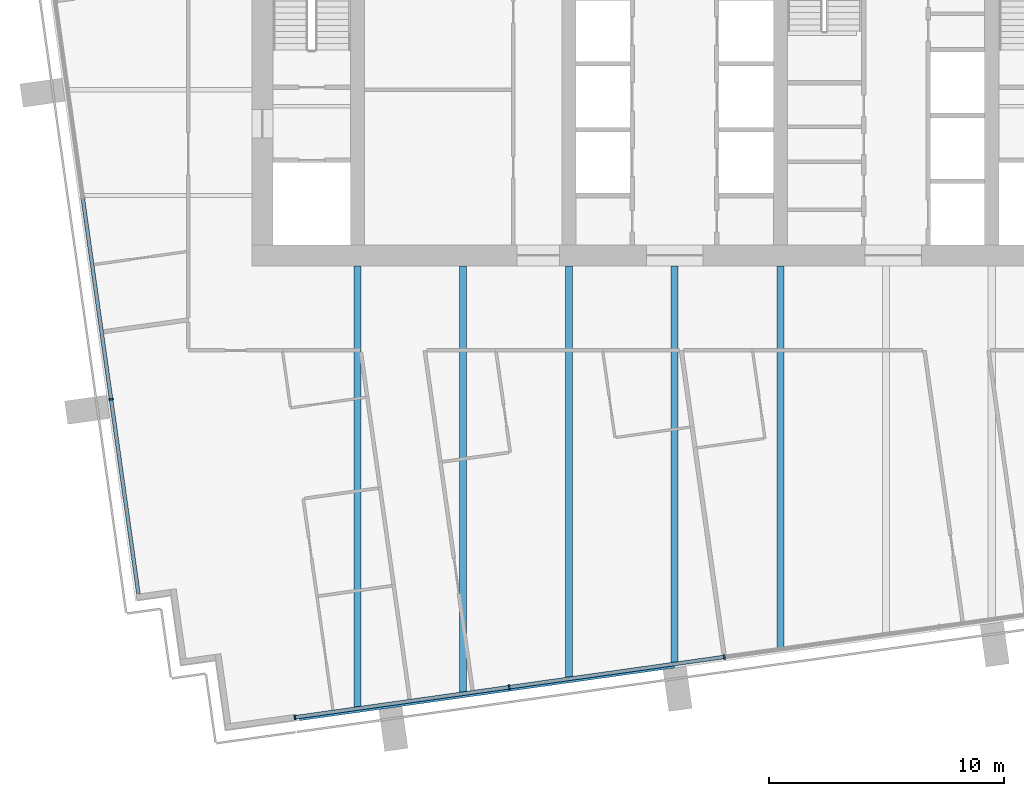
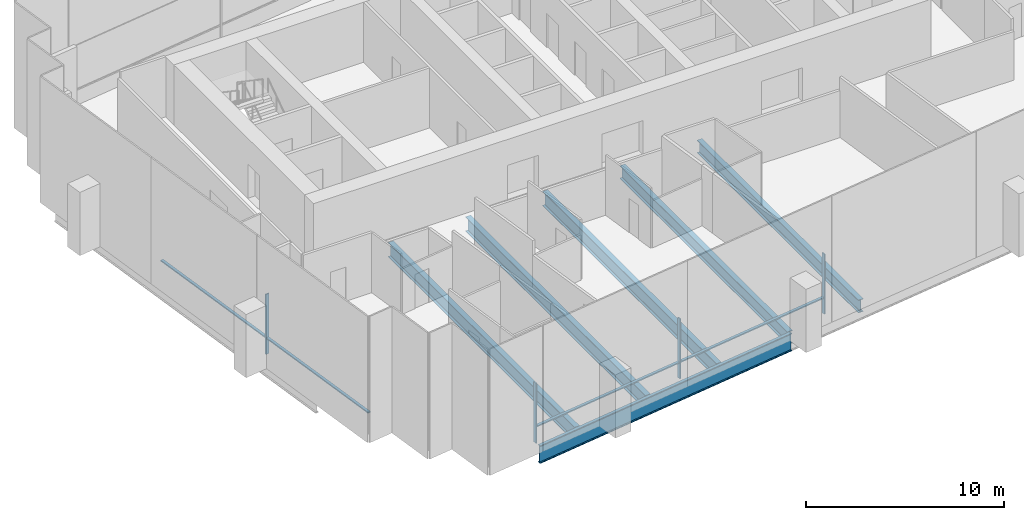
# One storey, part 2 of 15: 8 members, 6 beams, 2 elements without a shape of their own.
"""IFC4 building model written with IfcOpenShell, lengths in metres."""

from ifc_helpers import new_model, si_unit, direction, frame, origin, origin_2d, place, context, subcontext, project, spatial, rectangle, i_section, extrude, material, layer, layer_set, material_profile, profile_set, type_object, element, aggregate, save


model = new_model("IFC4")

# Units and contexts
model_context = context("Model", 3, precision=1e-05, world=origin(), true_north=direction((0.0, 1.0)))
body_context = subcontext(model_context, "Body", "Model", "MODEL_VIEW")
ifc_project = project(units=[si_unit("LENGTHUNIT", "METRE"), si_unit("AREAUNIT", "SQUARE_METRE"), si_unit("VOLUMEUNIT", "CUBIC_METRE"), si_unit("PLANEANGLEUNIT", "RADIAN"), si_unit("MASSUNIT", "GRAM", prefix="KILO")], contexts=[model_context])

# Site, building, storey
site_placement = place(None, origin())
site = spatial("IfcSite", under=ifc_project, at=site_placement, CompositionType="ELEMENT")
building_placement = place(site_placement, origin())
building = spatial("IfcBuilding", under=site, at=building_placement, Name="Rattan Terrace Tower", CompositionType="ELEMENT")
storey_placement = place(building_placement, frame((0.0, 0.0, 266.800048828125)))
storey = spatial("IfcBuildingStorey", under=building, at=storey_placement, Name="L61", CompositionType="ELEMENT", Elevation=266.800048828125)

# Beams
ifc_material_1 = material(Name="Steel S460", Category="steel")
ifc_material_profile_1 = material_profile(ifc_material_1, i_section(OverallWidth=0.179931640625, OverallDepth=1.10009765625, WebThickness=0.01611328125, FlangeThickness=0.050048828125, at=origin_2d()), Name="PG 1100x180-16-50")
ifc_profile_set_1 = profile_set([ifc_material_profile_1], Name="Steel S460")
beam_type_1 = type_object("IfcBeamType", Name="Frame edge girder PG 1100x180-16-50", PredefinedType="SPANDREL", material=ifc_profile_set_1)
beam_1_placement = place(storey_placement, frame((-15.969970703125, -26.77099609375, -0.75), z_axis=(0.990265456284, 0.139191688294, 0.0), x_axis=(-0.139191688294, 0.990265456284, 0.0)))
element("IfcBeam", 1, at=beam_1_placement, inside=storey, type_object=beam_type_1, Name="gdr-L61-001", PredefinedType="SPANDREL", context=body_context, shape_type="SweptSolid", body=[
    extrude(i_section(OverallWidth=0.179931640625, OverallDepth=1.10009765625, WebThickness=0.01611328125, FlangeThickness=0.050048828125, at=origin_2d()), origin(), (0.0, 0.0, 1.0), 16.114013671875),
])
ifc_material_2 = material(Name="Steel S355", Category="steel")
ifc_material_profile_2 = material_profile(ifc_material_2, i_section(OverallWidth=0.300048828125, OverallDepth=0.800048828125, WebThickness=0.017578125, FlangeThickness=0.032958984375, FilletRadius=0.030029296875, at=origin_2d()), Name="HE 800 B")
ifc_profile_set_2 = profile_set([ifc_material_profile_2], Name="Steel S355")
beam_type_2 = type_object("IfcBeamType", Name="Frame floor beam HE 800 B", PredefinedType="JOIST", material=ifc_profile_set_2)
beam_2_placement = place(storey_placement, frame((0.0, -24.4140625, -0.60009765625), z_axis=(0.0, 1.0, 0.0), x_axis=(-1.0, 0.0, 0.0)))
element("IfcBeam", 2, at=beam_2_placement, inside=storey, type_object=beam_type_2, Name="bm-L61-006", PredefinedType="JOIST", context=body_context, shape_type="SweptSolid", body=[
    extrude(i_section(OverallWidth=0.300048828125, OverallDepth=0.800048828125, WebThickness=0.017578125, FlangeThickness=0.032958984375, FilletRadius=0.030029296875, at=origin_2d()), origin(), (0.0, 0.0, 1.0), 16.9140625),
])
beam_3_placement = place(storey_placement, frame((4.5, -23.781982421875, -0.60009765625), z_axis=(0.0, 1.0, 0.0), x_axis=(-1.0, 0.0, 0.0)))
element("IfcBeam", 3, at=beam_3_placement, inside=storey, type_object=beam_type_2, Name="bm-L61-007", PredefinedType="JOIST", context=body_context, shape_type="SweptSolid", body=[
    extrude(i_section(OverallWidth=0.300048828125, OverallDepth=0.800048828125, WebThickness=0.017578125, FlangeThickness=0.032958984375, FilletRadius=0.030029296875, at=origin_2d()), origin(), (0.0, 0.0, 1.0), 16.281982421875),
])
ifc_material_3 = material(Name="Steel S355", Category="steel")
ifc_material_profile_3 = material_profile(ifc_material_3, i_section(OverallWidth=0.300048828125, OverallDepth=0.89990234375, WebThickness=0.0185546875, FlangeThickness=0.034912109375, FilletRadius=0.030029296875, at=origin_2d()), Name="HE 900 B")
ifc_profile_set_3 = profile_set([ifc_material_profile_3], Name="Steel S355")
beam_type_3 = type_object("IfcBeamType", Name="Frame floor beam HE 900 B", PredefinedType="JOIST", material=ifc_profile_set_3)
beam_4_placement = place(storey_placement, frame((-13.5, -26.31201171875, -0.650146484375), z_axis=(0.0, 1.0, 0.0), x_axis=(-1.0, 0.0, 0.0)))
element("IfcBeam", 4, at=beam_4_placement, inside=storey, type_object=beam_type_3, Name="bm-L61-003", PredefinedType="JOIST", context=body_context, shape_type="SweptSolid", body=[
    extrude(i_section(OverallWidth=0.300048828125, OverallDepth=0.89990234375, WebThickness=0.0185546875, FlangeThickness=0.034912109375, FilletRadius=0.030029296875, at=origin_2d()), origin(), (0.0, 0.0, 1.0), 18.81201171875),
])
beam_5_placement = place(storey_placement, frame((-9.0, -25.678955078125, -0.650146484375), z_axis=(0.0, 1.0, 0.0), x_axis=(-1.0, 0.0, 0.0)))
element("IfcBeam", 5, at=beam_5_placement, inside=storey, type_object=beam_type_3, Name="bm-L61-004", PredefinedType="JOIST", context=body_context, shape_type="SweptSolid", body=[
    extrude(i_section(OverallWidth=0.300048828125, OverallDepth=0.89990234375, WebThickness=0.0185546875, FlangeThickness=0.034912109375, FilletRadius=0.030029296875, at=origin_2d()), origin(), (0.0, 0.0, 1.0), 18.178955078125),
])
beam_6_placement = place(storey_placement, frame((-4.5, -25.047119140625, -0.650146484375), z_axis=(0.0, 1.0, 0.0), x_axis=(-1.0, 0.0, 0.0)))
element("IfcBeam", 6, at=beam_6_placement, inside=storey, type_object=beam_type_3, Name="bm-L61-005", PredefinedType="JOIST", context=body_context, shape_type="SweptSolid", body=[
    extrude(i_section(OverallWidth=0.300048828125, OverallDepth=0.89990234375, WebThickness=0.0185546875, FlangeThickness=0.034912109375, FilletRadius=0.030029296875, at=origin_2d()), origin(), (0.0, 0.0, 1.0), 17.547119140625),
])

# Curtain wall, member
ifc_material_4 = material(Name="Aluminium and laminated glass", Category="aluminium")
ifc_layer = layer(ifc_material_4, 0.199951171875)
ifc_layer_set = layer_set([ifc_layer], Name="High-Zone Unitised Curtain Wall")
curtain_wall_type = type_object("IfcCurtainWallType", Name="High-Zone Unitised Curtain Wall", PredefinedType="NOTDEFINED", material=ifc_layer_set)
curtain_wall_1_placement = place(storey_placement, origin())
curtain_wall_1 = element("IfcCurtainWall", 7, at=curtain_wall_1_placement, inside=storey, type_object=curtain_wall_type, Name="High-zone curtain wall L61-3", PredefinedType="NOTDEFINED")
ifc_material_5 = material(Name="Aluminium", Category="aluminium")
ifc_material_profile_4 = material_profile(ifc_material_5, rectangle(XDim=0.070068359375, YDim=0.199951171875, at=origin_2d()), Name="Aluminium 70x200")
ifc_profile_set_4 = profile_set([ifc_material_profile_4], Name="Aluminium")
member_type_1 = type_object("IfcMemberType", Name="High-Zone CW Mullion 70x200", PredefinedType="MULLION", material=ifc_profile_set_4)
member_1_placement = place(storey_placement, frame((-23.989990234375, -13.177490234375, 0.0), z_axis=(0.0, 0.0, 1.0), x_axis=(0.139191775431, -0.990265444036, 0.0)))
member_1 = element("IfcMember", 8, at=member_1_placement, type_object=member_type_1, Name="Mullion cwl-L61-003.3", PredefinedType="MULLION", context=body_context, shape_type="SweptSolid", body=[
    extrude(rectangle(XDim=0.070068359375, YDim=0.199951171875, at=origin_2d()), origin(), (0.0, 0.0, 1.0), 3.699951171875),
])

# Curtain wall, members
curtain_wall_2_placement = place(storey_placement, origin())
curtain_wall_2 = element("IfcCurtainWall", 9, at=curtain_wall_2_placement, inside=storey, type_object=curtain_wall_type, Name="High-zone curtain wall L61-4", PredefinedType="NOTDEFINED")
member_2_placement = place(storey_placement, frame((-16.1650390625, -26.716796875, 0.0), z_axis=(0.0, 0.0, 1.0), x_axis=(0.990265894013, 0.139188574079, 0.0)))
member_2 = element("IfcMember", 10, at=member_2_placement, type_object=member_type_1, Name="Mullion cwl-L61-004.1", PredefinedType="MULLION", context=body_context, shape_type="SweptSolid", body=[
    extrude(rectangle(XDim=0.070068359375, YDim=0.199951171875, at=origin_2d()), origin(), (0.0, 0.0, 1.0), 3.699951171875),
])
member_3_placement = place(storey_placement, frame((-7.040771484375, -25.434326171875, 0.0), z_axis=(0.0, 0.0, 1.0), x_axis=(0.990265894013, 0.139188574079, 0.0)))
member_3 = element("IfcMember", 11, at=member_3_placement, type_object=member_type_1, Name="Mullion cwl-L61-004.2", PredefinedType="MULLION", context=body_context, shape_type="SweptSolid", body=[
    extrude(rectangle(XDim=0.070068359375, YDim=0.199951171875, at=origin_2d()), origin(), (0.0, 0.0, 1.0), 3.699951171875),
])
member_4_placement = place(storey_placement, frame((2.1181640625, -24.14697265625, 0.0), z_axis=(0.0, 0.0, 1.0), x_axis=(0.990265894013, 0.139188574079, 0.0)))
member_4 = element("IfcMember", 12, at=member_4_placement, type_object=member_type_1, Name="Mullion cwl-L61-004.3", PredefinedType="MULLION", context=body_context, shape_type="SweptSolid", body=[
    extrude(rectangle(XDim=0.070068359375, YDim=0.199951171875, at=origin_2d()), origin(), (0.0, 0.0, 1.0), 3.699951171875),
])

# Member
ifc_material_6 = material(Name="Aluminium", Category="aluminium")
ifc_material_profile_5 = material_profile(ifc_material_6, rectangle(XDim=0.159912109375, YDim=0.070068359375, at=origin_2d()), Name="Aluminium 160x70")
ifc_profile_set_5 = profile_set([ifc_material_profile_5], Name="Aluminium")
member_type_2 = type_object("IfcMemberType", Name="High-Zone CW Transom 160x70", PredefinedType="USERDEFINED", material=ifc_profile_set_5)
member_5_placement = place(storey_placement, frame((-25.19140625, -4.629638671875, 1.0), z_axis=(0.139182599995, -0.990266733693, 0.0), x_axis=(0.990266733693, 0.139182599995, 0.0)))
member_5 = element("IfcMember", 13, at=member_5_placement, type_object=member_type_2, Name="Transom cwl-L61-003.2", ObjectType="TRANSOM", PredefinedType="USERDEFINED", context=body_context, shape_type="SweptSolid", body=[
    extrude(rectangle(XDim=0.159912109375, YDim=0.070068359375, at=origin_2d()), origin(), (0.0, 0.0, 1.0), 8.596923828125),
])

member_6_placement = place(storey_placement, frame((-23.985107421875, -13.212158203125, 1.0), z_axis=(0.139198740199, -0.990264465043, 0.0), x_axis=(0.990264465043, 0.139198740199, 0.0)))
member_6 = element("IfcMember", 14, at=member_6_placement, type_object=member_type_2, Name="Transom cwl-L61-003.3", ObjectType="TRANSOM", PredefinedType="USERDEFINED", context=body_context, shape_type="SweptSolid", body=[
    extrude(rectangle(XDim=0.159912109375, YDim=0.070068359375, at=origin_2d()), origin(), (0.0, 0.0, 1.0), 8.336181640625),
])

aggregate(curtain_wall_1, [member_1, member_5, member_6])

member_7_placement = place(storey_placement, frame((-16.13037109375, -26.7119140625, 1.0), z_axis=(0.990266298783, 0.139185694291, 0.0), x_axis=(-0.139185694291, 0.990266298783, 0.0)))
member_7 = element("IfcMember", 15, at=member_7_placement, type_object=member_type_2, Name="Transom cwl-L61-004.1", ObjectType="TRANSOM", PredefinedType="USERDEFINED", context=body_context, shape_type="SweptSolid", body=[
    extrude(rectangle(XDim=0.159912109375, YDim=0.070068359375, at=origin_2d()), origin(), (0.0, 0.0, 1.0), 9.14404296875),
])

member_8_placement = place(storey_placement, frame((-7.006103515625, -25.429443359375, 1.0), z_axis=(0.990266147156, 0.139186773067, 0.0), x_axis=(-0.139186773067, 0.990266147156, 0.0)))
member_8 = element("IfcMember", 16, at=member_8_placement, type_object=member_type_2, Name="Transom cwl-L61-004.2", ObjectType="TRANSOM", PredefinedType="USERDEFINED", context=body_context, shape_type="SweptSolid", body=[
    extrude(rectangle(XDim=0.159912109375, YDim=0.070068359375, at=origin_2d()), origin(), (0.0, 0.0, 1.0), 9.178955078125),
])

aggregate(curtain_wall_2, [member_2, member_3, member_4, member_7, member_8])

save(model, "model.ifc")
